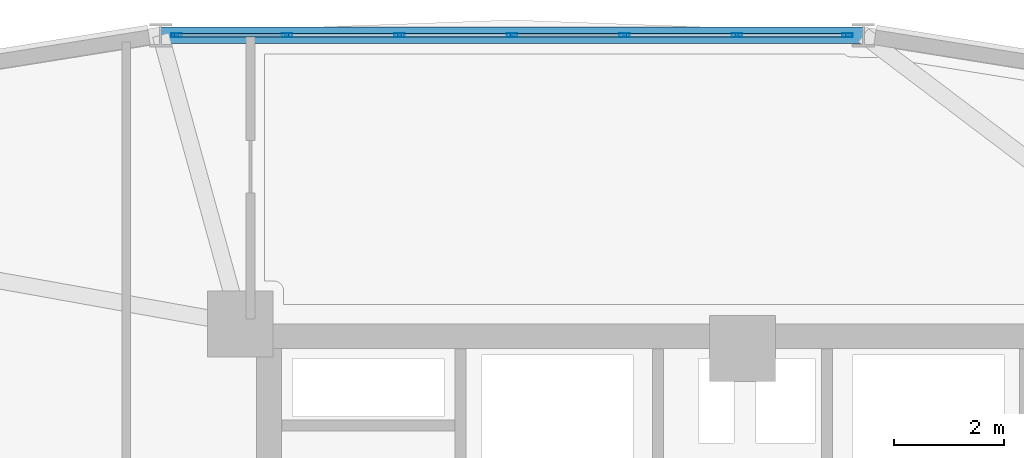
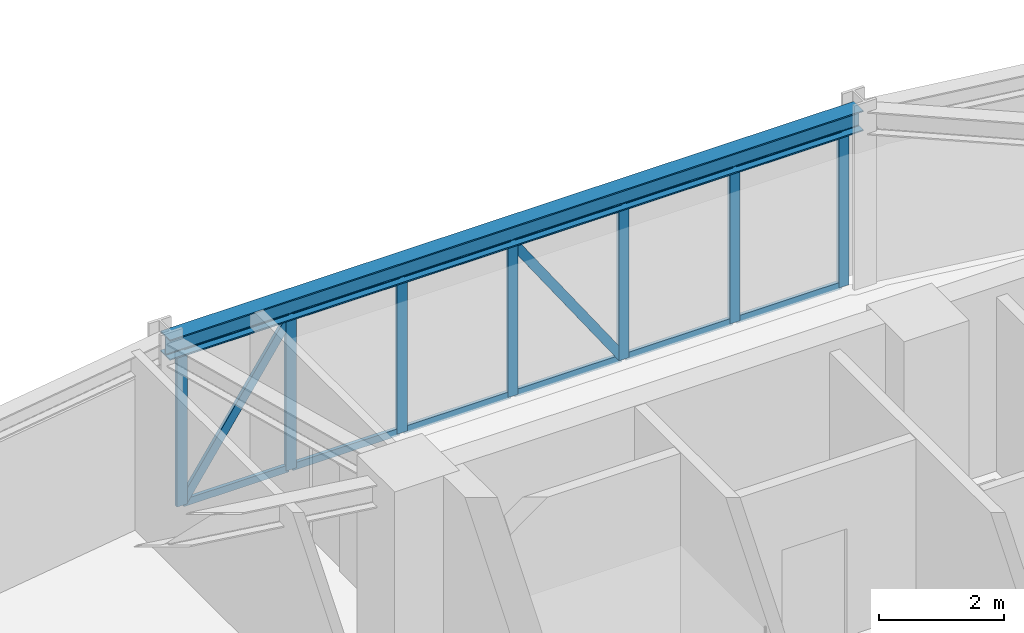
# One storey, part 8 of 15: 21 members, 1 beam, 1 element without a shape of its own.
"""IFC4 building model written with IfcOpenShell, lengths in metres."""

from ifc_helpers import new_model, si_unit, derived_unit, direction, frame, origin, origin_2d, place, context, subcontext, project, spatial, hollow_rectangle, i_section, extrude, source, transform, mapped, material, layer, layer_set, material_profile, profile_set, type_object, element, aggregate, save


model = new_model("IFC4")

# Units and contexts
model_context = context("Model", 3, precision=1e-05, world=origin(), true_north=direction((0.0, 1.0)))
body_context = subcontext(model_context, "Body", "Model", "MODEL_VIEW")
ifc_project = project(units=[si_unit("LENGTHUNIT", "METRE"), si_unit("AREAUNIT", "SQUARE_METRE"), si_unit("VOLUMEUNIT", "CUBIC_METRE"), si_unit("PLANEANGLEUNIT", "RADIAN"), si_unit("MASSUNIT", "GRAM", prefix="KILO"), derived_unit("THERMALTRANSMITTANCEUNIT", [(si_unit("POWERUNIT", "WATT"), 1), (si_unit("LENGTHUNIT", "METRE"), -2), (si_unit("THERMODYNAMICTEMPERATUREUNIT", "KELVIN"), -1)])], contexts=[model_context])

# Site, building, storey
site_placement = place(None, origin())
site = spatial("IfcSite", under=ifc_project, at=site_placement, CompositionType="ELEMENT")
building_placement = place(site_placement, origin())
building = spatial("IfcBuilding", under=site, at=building_placement, Name="Korsvarv Bourse and Concert Hall", CompositionType="ELEMENT")
storey_placement = place(building_placement, frame((0.0, 0.0, 157.800048828125)))
storey = spatial("IfcBuildingStorey", under=building, at=storey_placement, Name="L40", CompositionType="ELEMENT", Elevation=157.800048828125)

# Beam
ifc_material_1 = material(Name="Steel S355", Category="steel")
ifc_material_profile_1 = material_profile(ifc_material_1, i_section(OverallWidth=0.300048828125, OverallDepth=0.39990234375, WebThickness=0.013427734375, FlangeThickness=0.02392578125, FilletRadius=0.02099609375, at=origin_2d()), Name="HEB 400")
ifc_profile_set_1 = profile_set([ifc_material_profile_1], Name="Steel S355")
beam_type = type_object("IfcBeamType", Name="BM-HEB400", PredefinedType="SPANDREL", material=ifc_profile_set_1)
shared_shape_1 = source(origin(), body_context, "Body", "SweptSolid", [
    extrude(i_section(OverallWidth=0.300048828125, OverallDepth=0.39990234375, WebThickness=0.013427734375, FlangeThickness=0.02392578125, FilletRadius=0.02099609375, at=origin_2d()), origin(), (0.0, 0.0, 1.0), 12.802978515625),
])
beam_placement = place(storey_placement, frame((38.201416015625, 52.507568359375, 3.199951171875), z_axis=(-1.0, 0.0, 0.0), x_axis=(0.0, -1.0, 0.0)))
element("IfcBeam", 1, at=beam_placement, inside=storey, type_object=beam_type, Name="L40 beam B-09", PredefinedType="SPANDREL", context=body_context, shape_type="MappedRepresentation", body=[
    mapped(shared_shape_1, transform((0.0, 0.0, 0.0), scale=1.0)),
])

# Curtain wall, members
ifc_material_2 = material(Name="Anodised aluminium and triple low-E glazing", Category="glass")
ifc_layer = layer(ifc_material_2, 0.2099609375)
ifc_layer_set = layer_set([ifc_layer], Name="Anodised aluminium and triple low-E glazing")
curtain_wall_type = type_object("IfcCurtainWallType", Name="CW-SYS-2", PredefinedType="NOTDEFINED", material=ifc_layer_set)
curtain_wall_placement = place(storey_placement, origin())
curtain_wall = element("IfcCurtainWall", 2, at=curtain_wall_placement, inside=storey, type_object=curtain_wall_type, Name="L40 CW2 curtain wall CW-L40-F03", PredefinedType="NOTDEFINED")
ifc_material_3 = material(Name="Extruded aluminium EN AW-6063 T66", Category="aluminium")
ifc_material_profile_2 = material_profile(ifc_material_3, hollow_rectangle(XDim=0.06494140625, YDim=0.139892578125, WallThickness=0.00390625, at=origin_2d()), Name="ALU-T 65x140")
ifc_profile_set_2 = profile_set([ifc_material_profile_2], Name="Extruded aluminium EN AW-6063 T66")
member_type_1 = type_object("IfcMemberType", Name="CWT-140", PredefinedType="USERDEFINED", material=ifc_profile_set_2)
shared_shape_2 = source(origin(), body_context, "Body", "SweptSolid", [
    extrude(hollow_rectangle(XDim=0.06494140625, YDim=0.139892578125, WallThickness=0.00390625, at=origin_2d()), origin(), (0.0, 0.0, 1.0), 1.943359375),
])
member_1_placement = place(storey_placement, frame((27.66796875, 52.507568359375, 0.032470703125), z_axis=(-1.0, 0.0, 0.0), x_axis=(0.0, -1.0, 0.0)))
member_1 = element("IfcMember", 3, at=member_1_placement, type_object=member_type_1, Name="CW2 transom 6.1", ObjectType="TRANSOM", PredefinedType="USERDEFINED", context=body_context, shape_type="MappedRepresentation", body=[
    mapped(shared_shape_2, transform((0.0, 0.0, 0.0), scale=1.0)),
])
member_2_placement = place(storey_placement, frame((27.66796875, 52.507568359375, 2.967529296875), z_axis=(-1.0, 0.0, 0.0), x_axis=(0.0, -1.0, 0.0)))
member_2 = element("IfcMember", 4, at=member_2_placement, type_object=member_type_1, Name="CW2 transom 6.2", ObjectType="TRANSOM", PredefinedType="USERDEFINED", context=body_context, shape_type="MappedRepresentation", body=[
    mapped(shared_shape_2, transform((0.0, 0.0, 0.0), scale=1.0)),
])
ifc_material_profile_3 = material_profile(ifc_material_3, hollow_rectangle(XDim=0.070068359375, YDim=0.18994140625, WallThickness=0.0048828125, at=origin_2d()), Name="ALU-M 70x190")
ifc_profile_set_3 = profile_set([ifc_material_profile_3], Name="Extruded aluminium EN AW-6063 T66")
member_type_2 = type_object("IfcMemberType", Name="CWM-190", PredefinedType="MULLION", material=ifc_profile_set_3)
shared_shape_3 = source(origin(), body_context, "Body", "SweptSolid", [
    extrude(hollow_rectangle(XDim=0.070068359375, YDim=0.18994140625, WallThickness=0.0048828125, at=origin_2d()), origin(), (0.0, 0.0, 1.0), 3.0),
])
member_3_placement = place(storey_placement, frame((37.910400390625, 52.507568359375, 0.0), z_axis=(0.0, 0.0, 1.0), x_axis=(0.0, -1.0, 0.0)))
member_3 = element("IfcMember", 5, at=member_3_placement, type_object=member_type_2, Name="CW2 mullion 1", PredefinedType="MULLION", context=body_context, shape_type="MappedRepresentation", body=[
    mapped(shared_shape_3, transform((0.0, 0.0, 0.0), scale=1.0)),
])
member_4_placement = place(storey_placement, frame((35.89697265625, 52.507568359375, 0.0), z_axis=(0.0, 0.0, 1.0), x_axis=(0.0, -1.0, 0.0)))
member_4 = element("IfcMember", 6, at=member_4_placement, type_object=member_type_2, Name="CW2 mullion 2", PredefinedType="MULLION", context=body_context, shape_type="MappedRepresentation", body=[
    mapped(shared_shape_3, transform((0.0, 0.0, 0.0), scale=1.0)),
])
member_5_placement = place(storey_placement, frame((33.848388671875, 52.507568359375, 0.0), z_axis=(0.0, 0.0, 1.0), x_axis=(0.0, -1.0, 0.0)))
member_5 = element("IfcMember", 7, at=member_5_placement, type_object=member_type_2, Name="CW2 mullion 3", PredefinedType="MULLION", context=body_context, shape_type="MappedRepresentation", body=[
    mapped(shared_shape_3, transform((0.0, 0.0, 0.0), scale=1.0)),
])
member_6_placement = place(storey_placement, frame((31.800048828125, 52.507568359375, 0.0), z_axis=(0.0, 0.0, 1.0), x_axis=(0.0, -1.0, 0.0)))
member_6 = element("IfcMember", 8, at=member_6_placement, type_object=member_type_2, Name="CW2 mullion 4", PredefinedType="MULLION", context=body_context, shape_type="MappedRepresentation", body=[
    mapped(shared_shape_3, transform((0.0, 0.0, 0.0), scale=1.0)),
])
member_7_placement = place(storey_placement, frame((29.75146484375, 52.507568359375, 0.0), z_axis=(0.0, 0.0, 1.0), x_axis=(0.0, -1.0, 0.0)))
member_7 = element("IfcMember", 9, at=member_7_placement, type_object=member_type_2, Name="CW2 mullion 5", PredefinedType="MULLION", context=body_context, shape_type="MappedRepresentation", body=[
    mapped(shared_shape_3, transform((0.0, 0.0, 0.0), scale=1.0)),
])
member_8_placement = place(storey_placement, frame((27.702880859375, 52.507568359375, 0.0), z_axis=(0.0, 0.0, 1.0), x_axis=(0.0, -1.0, 0.0)))
member_8 = element("IfcMember", 10, at=member_8_placement, type_object=member_type_2, Name="CW2 mullion 6", PredefinedType="MULLION", context=body_context, shape_type="MappedRepresentation", body=[
    mapped(shared_shape_3, transform((0.0, 0.0, 0.0), scale=1.0)),
])
member_9_placement = place(storey_placement, frame((25.689453125, 52.507568359375, 0.0), z_axis=(0.0, 0.0, 1.0), x_axis=(0.0, -1.0, 0.0)))
member_9 = element("IfcMember", 11, at=member_9_placement, type_object=member_type_2, Name="CW2 mullion 7", PredefinedType="MULLION", context=body_context, shape_type="MappedRepresentation", body=[
    mapped(shared_shape_3, transform((0.0, 0.0, 0.0), scale=1.0)),
])
shared_shape_4 = source(origin(), body_context, "Body", "SweptSolid", [
    extrude(hollow_rectangle(XDim=0.06494140625, YDim=0.139892578125, WallThickness=0.00390625, at=origin_2d()), origin(), (0.0, 0.0, 1.0), 1.943603515625),
])
member_10_placement = place(storey_placement, frame((37.87548828125, 52.507568359375, 0.032470703125), z_axis=(-1.0, 0.0, 0.0), x_axis=(0.0, -1.0, 0.0)))
member_10 = element("IfcMember", 12, at=member_10_placement, type_object=member_type_1, Name="CW2 transom 1.1", ObjectType="TRANSOM", PredefinedType="USERDEFINED", context=body_context, shape_type="MappedRepresentation", body=[
    mapped(shared_shape_4, transform((0.0, 0.0, 0.0), scale=1.0)),
])
member_11_placement = place(storey_placement, frame((37.87548828125, 52.507568359375, 2.967529296875), z_axis=(-1.0, 0.0, 0.0), x_axis=(0.0, -1.0, 0.0)))
member_11 = element("IfcMember", 13, at=member_11_placement, type_object=member_type_1, Name="CW2 transom 1.2", ObjectType="TRANSOM", PredefinedType="USERDEFINED", context=body_context, shape_type="MappedRepresentation", body=[
    mapped(shared_shape_4, transform((0.0, 0.0, 0.0), scale=1.0)),
])
shared_shape_5 = source(origin(), body_context, "Body", "SweptSolid", [
    extrude(hollow_rectangle(XDim=0.06494140625, YDim=0.139892578125, WallThickness=0.00390625, at=origin_2d()), origin(), (0.0, 0.0, 1.0), 1.978515625),
])
member_12_placement = place(storey_placement, frame((35.862060546875, 52.507568359375, 0.032470703125), z_axis=(-1.0, 0.0, 0.0), x_axis=(0.0, -1.0, 0.0)))
member_12 = element("IfcMember", 14, at=member_12_placement, type_object=member_type_1, Name="CW2 transom 2.1", ObjectType="TRANSOM", PredefinedType="USERDEFINED", context=body_context, shape_type="MappedRepresentation", body=[
    mapped(shared_shape_5, transform((0.0, 0.0, 0.0), scale=1.0)),
])
member_13_placement = place(storey_placement, frame((35.862060546875, 52.507568359375, 2.967529296875), z_axis=(-1.0, 0.0, 0.0), x_axis=(0.0, -1.0, 0.0)))
member_13 = element("IfcMember", 15, at=member_13_placement, type_object=member_type_1, Name="CW2 transom 2.2", ObjectType="TRANSOM", PredefinedType="USERDEFINED", context=body_context, shape_type="MappedRepresentation", body=[
    mapped(shared_shape_5, transform((0.0, 0.0, 0.0), scale=1.0)),
])
member_14_placement = place(storey_placement, frame((33.8134765625, 52.507568359375, 0.032470703125), z_axis=(-1.0, 0.0, 0.0), x_axis=(0.0, -1.0, 0.0)))
member_14 = element("IfcMember", 16, at=member_14_placement, type_object=member_type_1, Name="CW2 transom 3.1", ObjectType="TRANSOM", PredefinedType="USERDEFINED", context=body_context, shape_type="MappedRepresentation", body=[
    mapped(shared_shape_5, transform((0.0, 0.0, 0.0), scale=1.0)),
])
member_15_placement = place(storey_placement, frame((33.8134765625, 52.507568359375, 2.967529296875), z_axis=(-1.0, 0.0, 0.0), x_axis=(0.0, -1.0, 0.0)))
member_15 = element("IfcMember", 17, at=member_15_placement, type_object=member_type_1, Name="CW2 transom 3.2", ObjectType="TRANSOM", PredefinedType="USERDEFINED", context=body_context, shape_type="MappedRepresentation", body=[
    mapped(shared_shape_5, transform((0.0, 0.0, 0.0), scale=1.0)),
])
member_16_placement = place(storey_placement, frame((29.716552734375, 52.507568359375, 0.032470703125), z_axis=(-1.0, 0.0, 0.0), x_axis=(0.0, -1.0, 0.0)))
member_16 = element("IfcMember", 18, at=member_16_placement, type_object=member_type_1, Name="CW2 transom 5.1", ObjectType="TRANSOM", PredefinedType="USERDEFINED", context=body_context, shape_type="MappedRepresentation", body=[
    mapped(shared_shape_5, transform((0.0, 0.0, 0.0), scale=1.0)),
])
member_17_placement = place(storey_placement, frame((29.716552734375, 52.507568359375, 2.967529296875), z_axis=(-1.0, 0.0, 0.0), x_axis=(0.0, -1.0, 0.0)))
member_17 = element("IfcMember", 19, at=member_17_placement, type_object=member_type_1, Name="CW2 transom 5.2", ObjectType="TRANSOM", PredefinedType="USERDEFINED", context=body_context, shape_type="MappedRepresentation", body=[
    mapped(shared_shape_5, transform((0.0, 0.0, 0.0), scale=1.0)),
])
ifc_material_profile_4 = material_profile(ifc_material_3, hollow_rectangle(XDim=0.06494140625, YDim=0.1650390625, WallThickness=0.0048828125, at=origin_2d()), Name="ALU-M 65x165")
ifc_profile_set_4 = profile_set([ifc_material_profile_4], Name="Extruded aluminium EN AW-6063 T66")
member_type_3 = type_object("IfcMemberType", Name="CWM-165", PredefinedType="MULLION", material=ifc_profile_set_4)
shared_shape_6 = source(origin(), body_context, "Body", "SweptSolid", [
    extrude(hollow_rectangle(XDim=0.06494140625, YDim=0.1650390625, WallThickness=0.0048828125, at=origin_2d()), origin(), (0.0, 0.0, 1.0), 3.486083984375),
])
member_18_placement = place(storey_placement, frame((33.8134765625, 52.507568359375, 0.06494140625), z_axis=(-0.567562738009, 0.0, 0.823330151534), x_axis=(0.0, -1.0, 0.0)))
member_18 = element("IfcMember", 20, at=member_18_placement, type_object=member_type_3, Name="CW2 diagonal mullion 3", PredefinedType="MULLION", context=body_context, shape_type="MappedRepresentation", body=[
    mapped(shared_shape_6, transform((0.0, 0.0, 0.0), scale=1.0)),
])
shared_shape_7 = source(origin(), body_context, "Body", "SweptSolid", [
    extrude(hollow_rectangle(XDim=0.06494140625, YDim=0.139892578125, WallThickness=0.00390625, at=origin_2d()), origin(), (0.0, 0.0, 1.0), 1.978271484375),
])
member_19_placement = place(storey_placement, frame((31.764892578125, 52.507568359375, 0.032470703125), z_axis=(-1.0, 0.0, 0.0), x_axis=(0.0, -1.0, 0.0)))
member_19 = element("IfcMember", 21, at=member_19_placement, type_object=member_type_1, Name="CW2 transom 4.1", ObjectType="TRANSOM", PredefinedType="USERDEFINED", context=body_context, shape_type="MappedRepresentation", body=[
    mapped(shared_shape_7, transform((0.0, 0.0, 0.0), scale=1.0)),
])
member_20_placement = place(storey_placement, frame((31.764892578125, 52.507568359375, 2.967529296875), z_axis=(-1.0, 0.0, 0.0), x_axis=(0.0, -1.0, 0.0)))
member_20 = element("IfcMember", 22, at=member_20_placement, type_object=member_type_1, Name="CW2 transom 4.2", ObjectType="TRANSOM", PredefinedType="USERDEFINED", context=body_context, shape_type="MappedRepresentation", body=[
    mapped(shared_shape_7, transform((0.0, 0.0, 0.0), scale=1.0)),
])
shared_shape_8 = source(origin(), body_context, "Body", "SweptSolid", [
    extrude(hollow_rectangle(XDim=0.06494140625, YDim=0.1650390625, WallThickness=0.0048828125, at=origin_2d()), origin(), (0.0, 0.0, 1.0), 3.466064453125),
])
member_21_placement = place(storey_placement, frame((25.724609375, 52.507568359375, 0.06494140625), z_axis=(0.560667471003, 0.0, 0.828041053909), x_axis=(0.0, 1.0, 0.0)))
member_21 = element("IfcMember", 23, at=member_21_placement, type_object=member_type_3, Name="CW2 diagonal mullion 6", PredefinedType="MULLION", context=body_context, shape_type="MappedRepresentation", body=[
    mapped(shared_shape_8, transform((0.0, 0.0, 0.0), scale=1.0)),
])
aggregate(curtain_wall, [member_3, member_4, member_5, member_6, member_7, member_8, member_9, member_10, member_11, member_12, member_13, member_14, member_15, member_18, member_19, member_20, member_16, member_17, member_1, member_2, member_21])

save(model, "model.ifc")
